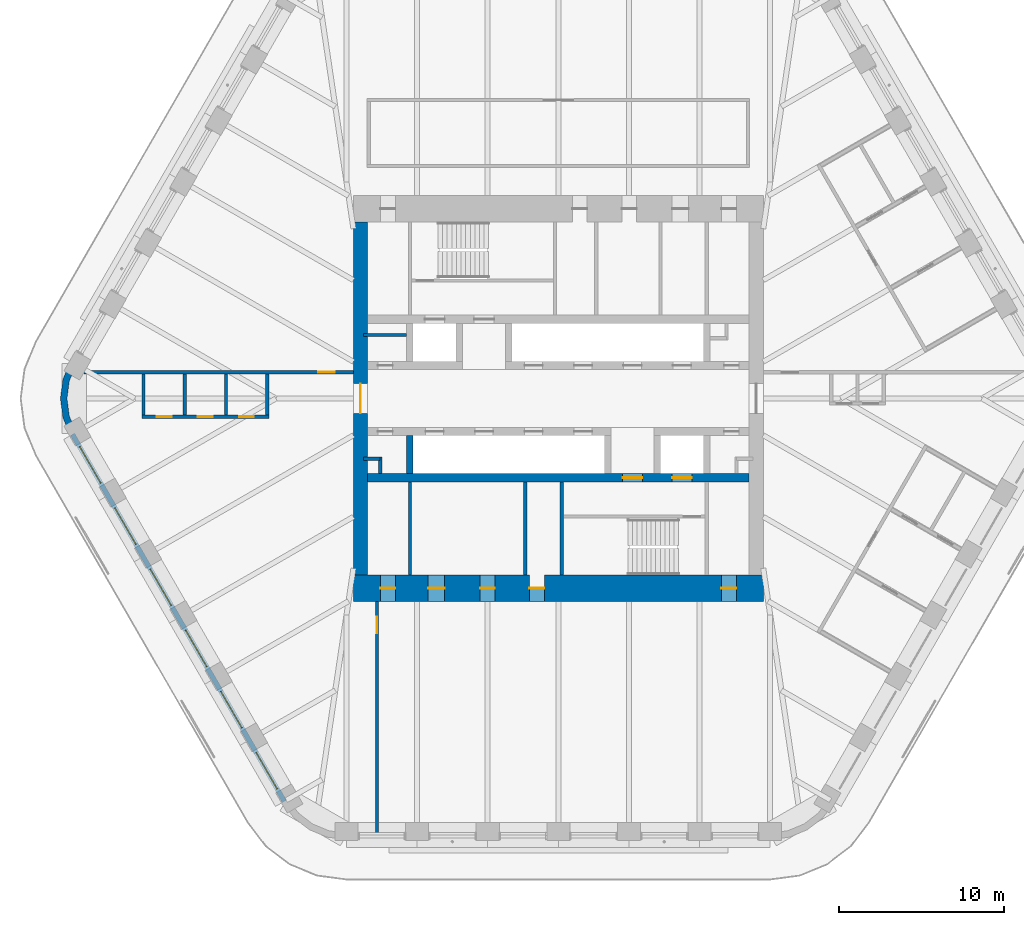
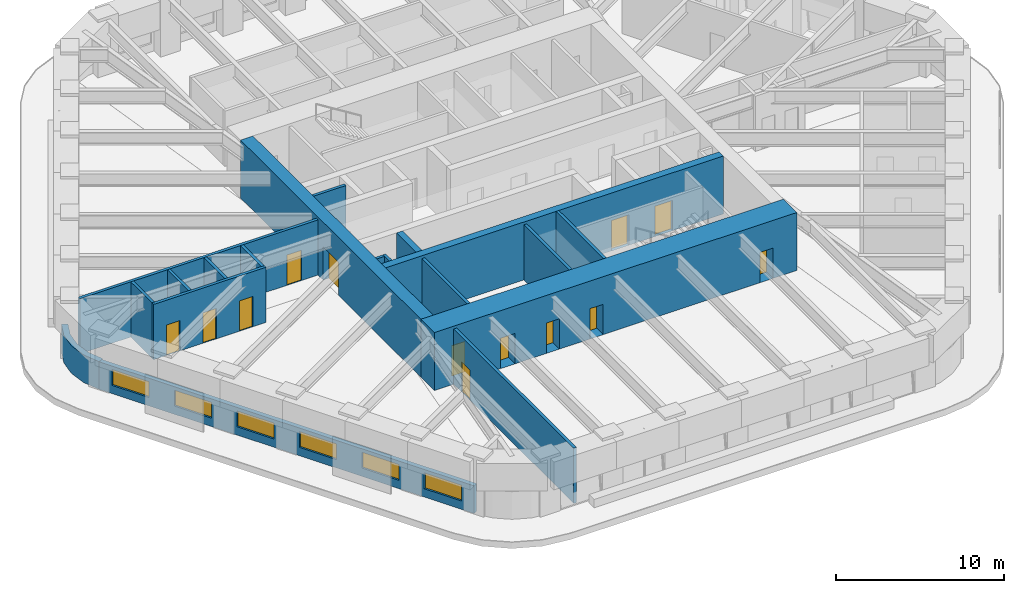
# One storey, part 13 of 18: 19 walls, 13 doors, 6 windows, 19 openings.
"""IFC4 building model written with IfcOpenShell, lengths in metres."""

import ifcopenshell
import ifcopenshell.guid

model = None  # the IFC model being written
_history = None  # IfcOwnerHistory: only IFC2X3 demands one
_inside = {}  # id of a spatial element -> (the spatial element, [elements in it])
_under = {}  # id of a project, library or spatial element -> (it, [spatial elements below it])
_declared = {}  # id of a project -> (the project, [libraries it declares])
_typed = {}  # id of a type object -> (the type object, [elements of that type])
_made_of = {}  # id of a material, layer set ... -> (it, [elements and type objects made of it])


def new_model(schema):
    """Start an empty IFC model of exactly this schema.

    Asked for "IFC4X3", IfcOpenShell would pick the latest addendum, in which some entities
    have other attributes; the version numbers below select the first issue.
    IFC2X3 requires an IfcOwnerHistory on every rooted entity: one is made here for all.
    """
    global model, _history
    if schema == "IFC4X3":
        model = ifcopenshell.file(schema_version=(4, 3, 0, 0))
    else:
        model = ifcopenshell.file(schema=schema)
    _inside.clear()
    _under.clear()
    _declared.clear()
    _typed.clear()
    _made_of.clear()
    _history = None
    if model.schema == "IFC2X3":
        org = make("IfcOrganization", Name="unknown")
        user = make(
            "IfcPersonAndOrganization",
            ThePerson=make("IfcPerson", FamilyName="unknown"),
            TheOrganization=org,
        )
        app = make(
            "IfcApplication",
            ApplicationDeveloper=org,
            Version="unknown",
            ApplicationFullName="unknown",
            ApplicationIdentifier="unknown",
        )
        _history = make(
            "IfcOwnerHistory",
            OwningUser=user,
            OwningApplication=app,
            ChangeAction="ADDED",
            CreationDate=0,
        )
    return model


def make(cls, **values):
    """One entity of the class cls with the attributes given. An attribute that is None is left unset."""
    return model.create_entity(
        cls, **{name: value for name, value in values.items() if value is not None}
    )


def rooted(cls, **values):
    """An entity with a GlobalId (a new one), such as an element, a storey or a relation."""
    return make(cls, GlobalId=ifcopenshell.guid.new(), OwnerHistory=_history, **values)


def si_unit(unit_type, name, prefix=None):
    """IfcSIUnit, for example si_unit("LENGTHUNIT", "METRE", prefix="MILLI")."""
    return make("IfcSIUnit", UnitType=unit_type, Prefix=prefix, Name=name)


def assignment(units):
    """IfcUnitAssignment: the units of a project."""
    return None if units is None else make("IfcUnitAssignment", Units=units)


def point(xyz):
    """IfcCartesianPoint."""
    return None if xyz is None else make("IfcCartesianPoint", Coordinates=xyz)


def direction(xyz):
    """IfcDirection."""
    return None if xyz is None else make("IfcDirection", DirectionRatios=xyz)


def frame(location, z_axis=None, x_axis=None):
    """IfcAxis2Placement3D, a coordinate frame: its origin and axes. An axis left out is left unset."""
    return make(
        "IfcAxis2Placement3D",
        Location=point(location),
        Axis=direction(z_axis),
        RefDirection=direction(x_axis),
    )


def frame_2d(location, x_axis=None):
    """IfcAxis2Placement2D, a coordinate frame in the plane: its origin and x axis."""
    return make(
        "IfcAxis2Placement2D", Location=point(location), RefDirection=direction(x_axis)
    )


def origin():
    """The frame at (0, 0, 0) with its axes left unset."""
    return frame((0.0, 0.0, 0.0))


def place(relative_to, where):
    """IfcLocalPlacement: puts the frame where relative to a parent placement (None: the world)."""
    return make(
        "IfcLocalPlacement", PlacementRelTo=relative_to, RelativePlacement=where
    )


def context(
    kind, dimensions, precision=None, world=None, true_north=None, identifier=None
):
    """IfcGeometricRepresentationContext, for example the 3D "Model" context."""
    return make(
        "IfcGeometricRepresentationContext",
        ContextIdentifier=identifier,
        ContextType=kind,
        CoordinateSpaceDimension=dimensions,
        Precision=precision,
        WorldCoordinateSystem=world,
        TrueNorth=true_north,
    )


def subcontext(parent, identifier, kind, view, scale=None):
    """IfcGeometricRepresentationSubContext, for example "Body" below "Model"."""
    return make(
        "IfcGeometricRepresentationSubContext",
        ContextIdentifier=identifier,
        ContextType=kind,
        ParentContext=parent,
        TargetScale=scale,
        TargetView=view,
    )


def project(units=None, contexts=None):
    """IfcProject with its units and contexts."""
    return rooted(
        "IfcProject",
        Name="project",
        RepresentationContexts=contexts,
        UnitsInContext=assignment(units),
    )


def spatial(cls, under=None, at=None, **own):
    """A site, building, storey or space (cls), placed at a placement, below another one or the project."""
    s = rooted(cls, ObjectPlacement=at, **own)
    if under is not None:
        _under.setdefault(under.id(), (under, []))[1].append(s)
    return s


def polyline(points):
    """IfcPolyline through the points."""
    return make("IfcPolyline", Points=[point(p) for p in points])


def profile(cls, at=None, kind="AREA", **sizes):
    """A parametric profile (cls). Its sizes go by their IFC names, for example OverallWidth=200.0."""
    return make(cls, ProfileType=kind, Position=at, **sizes)


def rectangle(**sizes):
    """IfcRectangleProfileDef."""
    return profile("IfcRectangleProfileDef", **sizes)


def outline(outer, holes=None, kind="AREA"):
    """IfcArbitraryClosedProfileDef: a profile drawn as a closed curve; with holes, ...WithVoids."""
    if holes is None:
        return make("IfcArbitraryClosedProfileDef", ProfileType=kind, OuterCurve=outer)
    return make(
        "IfcArbitraryProfileDefWithVoids",
        ProfileType=kind,
        OuterCurve=outer,
        InnerCurves=holes,
    )


def extrude(swept, where, along, depth):
    """IfcExtrudedAreaSolid: the profile swept, set in the frame where, extruded along a direction by depth."""
    return make(
        "IfcExtrudedAreaSolid",
        SweptArea=swept,
        Position=where,
        ExtrudedDirection=direction(along),
        Depth=depth,
    )


def shape(context_of_items, identifier, shape_type, items):
    """IfcShapeRepresentation: the items that make up one representation, for example the "Body"."""
    return make(
        "IfcShapeRepresentation",
        ContextOfItems=context_of_items,
        RepresentationIdentifier=identifier,
        RepresentationType=shape_type,
        Items=items,
    )


def material(Name=None, Category=None):
    """IfcMaterial."""
    return make("IfcMaterial", Name=Name, Category=Category)


def layer(
    of_material, thickness, ventilated=None, Name=None, Category=None, Priority=None
):
    """IfcMaterialLayer: one layer of a wall or slab, of a material (None: an air gap)."""
    return make(
        "IfcMaterialLayer",
        Material=of_material,
        LayerThickness=thickness,
        IsVentilated=ventilated,
        Name=Name,
        Category=Category,
        Priority=Priority,
    )


def layer_set(layers, Name=None):
    """IfcMaterialLayerSet."""
    return make("IfcMaterialLayerSet", MaterialLayers=layers, LayerSetName=Name)


def made_of(thing, what):
    """Note that an element or type object is made of a material, layer set ...; save() writes the relation."""
    if what is not None:
        _made_of.setdefault(what.id(), (what, []))[1].append(thing)
    return thing


def type_object(cls, material=None, **own):
    """A type object (cls), such as IfcWallType, which elements share."""
    return made_of(rooted(cls, **own), material)


def element(
    cls,
    number,
    at=None,
    inside=None,
    cuts=None,
    type_object=None,
    material=None,
    context=None,
    identifier="Body",
    shape_type=None,
    held_by="IfcProductDefinitionShape",
    body=None,
    shapes=None,
    **own,
):
    """One element of the class cls, such as IfcWall. Its Tag is "e" and its number.

    at: its placement. inside: the storey or other place that contains it. cuts: it is an
    opening in that element (IfcRelVoidsElement). A single representation is given by context,
    identifier, shape_type and body (its items); several are given by shapes. held_by: the class
    of the entity that holds the representations. save() writes the other relations.
    """
    e = rooted(cls, Tag="e%d" % number, ObjectPlacement=at, **own)
    if body is not None:
        shapes = [shape(context, identifier, shape_type, body)]
    if shapes is not None:
        e.Representation = make(held_by, Representations=shapes)
    if inside is not None:
        _inside.setdefault(inside.id(), (inside, []))[1].append(e)
    if cuts is not None:
        rooted(
            "IfcRelVoidsElement", RelatingBuildingElement=cuts, RelatedOpeningElement=e
        )
    if type_object is not None:
        _typed.setdefault(type_object.id(), (type_object, []))[1].append(e)
    return made_of(e, material)


def fill(opening, filler):
    """IfcRelFillsElement: the door or window that sits in an opening."""
    return rooted(
        "IfcRelFillsElement",
        RelatingOpeningElement=opening,
        RelatedBuildingElement=filler,
    )


def aggregate(whole, parts):
    """IfcRelAggregates: a whole, such as a stair, and the parts it consists of."""
    return rooted("IfcRelAggregates", RelatingObject=whole, RelatedObjects=parts)


def save(model, path):
    """Write the relations noted so far, then the file.

    IfcRelAggregates (storeys below a building ...), IfcRelContainedInSpatialStructure (elements
    in a storey), IfcRelDefinesByType, IfcRelAssociatesMaterial and IfcRelDeclares: one each for
    every whole, place, type object, material and project.
    """
    for whole, parts in _under.values():
        aggregate(whole, parts)
    for where, things in _inside.values():
        rooted(
            "IfcRelContainedInSpatialStructure",
            RelatedElements=things,
            RelatingStructure=where,
        )
    for kind, things in _typed.values():
        rooted("IfcRelDefinesByType", RelatedObjects=things, RelatingType=kind)
    for what, things in _made_of.values():
        rooted("IfcRelAssociatesMaterial", RelatedObjects=things, RelatingMaterial=what)
    for by, libraries in _declared.values():
        rooted("IfcRelDeclares", RelatingContext=by, RelatedDefinitions=libraries)
    model.write(path)


model = new_model("IFC4")

# Units and contexts
model_context = context("Model", 3, precision=1e-05, world=origin(), true_north=direction((0.0, 1.0)))
body_context = subcontext(model_context, "Body", "Model", "MODEL_VIEW")
ifc_project = project(units=[si_unit("LENGTHUNIT", "METRE"), si_unit("AREAUNIT", "SQUARE_METRE"), si_unit("VOLUMEUNIT", "CUBIC_METRE"), si_unit("PLANEANGLEUNIT", "RADIAN"), si_unit("MASSUNIT", "GRAM", prefix="KILO")], contexts=[model_context])

# Site, building, storey
site_placement = place(None, origin())
site = spatial("IfcSite", under=ifc_project, at=site_placement, CompositionType="ELEMENT")
building_placement = place(site_placement, origin())
building = spatial("IfcBuilding", under=site, at=building_placement, Name="Tarfa Lantern Tower", CompositionType="ELEMENT")
storey_placement = place(building_placement, frame((0.0, 0.0, 319.89990234375)))
storey = spatial("IfcBuildingStorey", under=building, at=storey_placement, Name="L72", CompositionType="ELEMENT", Elevation=319.89990234375)

# Wall, openings, windows
ifc_material_1 = material(Name="Limestone cladding on blockwork", Category="masonry")
ifc_layer_1 = layer(ifc_material_1, 0.300048828125)
ifc_layer_set_1 = layer_set([ifc_layer_1], Name="EW1 STONE-CLAD WALL 300")
wall_type_1 = type_object("IfcWallType", Name="EW1 STONE-CLAD WALL 300", PredefinedType="SOLIDWALL", material=ifc_layer_set_1)
wall_1_placement = place(storey_placement, frame((-29.459228515625, -2.175048828125, 0.0), z_axis=(0.0, 0.0, 1.0), x_axis=(0.499997191038, -0.866027025533, 0.0)))
wall_1 = element("IfcWall", 1, at=wall_1_placement, inside=storey, type_object=wall_type_1, Name="Stone wall SW", PredefinedType="SOLIDWALL", context=body_context, shape_type="SweptSolid", body=[
    extrude(rectangle(XDim=25.692138671875, YDim=0.300048828125, at=frame_2d((12.84619140625, 0.0))), origin(), (0.0, 0.0, 1.0), 2.0),
])
opening_1_placement = place(wall_1_placement, frame((0.865966796875, 0.0, 0.60009765625)))
opening_1 = element("IfcOpeningElement", 2, at=opening_1_placement, cuts=wall_1, Name="Opening W16", PredefinedType="OPENING", context=body_context, shape_type="SweptSolid", body=[
    extrude(rectangle(XDim=2.550048828125, YDim=1.14990234375, at=frame_2d((1.27490234375, 0.574951171875))), frame((0.0, 0.159912109375, 0.0), z_axis=(0.0, -1.0, 0.0), x_axis=(1.0, 0.0, 0.0)), (0.0, 0.0, 1.0), 0.320068359375),
])
opening_2_placement = place(wall_1_placement, frame((5.14794921875, 0.0, 0.60009765625)))
opening_2 = element("IfcOpeningElement", 3, at=opening_2_placement, cuts=wall_1, Name="Opening W16", PredefinedType="OPENING", context=body_context, shape_type="SweptSolid", body=[
    extrude(rectangle(XDim=2.550048828125, YDim=1.14990234375, at=frame_2d((1.27490234375, 0.574951171875))), frame((0.0, 0.159912109375, 0.0), z_axis=(0.0, -1.0, 0.0), x_axis=(1.0, 0.0, 0.0)), (0.0, 0.0, 1.0), 0.320068359375),
])
opening_3_placement = place(wall_1_placement, frame((9.429931640625, 0.0, 0.60009765625)))
opening_3 = element("IfcOpeningElement", 4, at=opening_3_placement, cuts=wall_1, Name="Opening W16", PredefinedType="OPENING", context=body_context, shape_type="SweptSolid", body=[
    extrude(rectangle(XDim=2.550048828125, YDim=1.14990234375, at=frame_2d((1.27490234375, 0.574951171875))), frame((0.0, 0.159912109375, 0.0), z_axis=(0.0, -1.0, 0.0), x_axis=(1.0, 0.0, 0.0)), (0.0, 0.0, 1.0), 0.320068359375),
])
opening_4_placement = place(wall_1_placement, frame((13.712158203125, 0.0, 0.60009765625)))
opening_4 = element("IfcOpeningElement", 5, at=opening_4_placement, cuts=wall_1, Name="Opening W16", PredefinedType="OPENING", context=body_context, shape_type="SweptSolid", body=[
    extrude(rectangle(XDim=2.550048828125, YDim=1.14990234375, at=frame_2d((1.27490234375, 0.574951171875))), frame((0.0, 0.159912109375, 0.0), z_axis=(0.0, -1.0, 0.0), x_axis=(1.0, 0.0, 0.0)), (0.0, 0.0, 1.0), 0.320068359375),
])
opening_5_placement = place(wall_1_placement, frame((17.994140625, 0.0, 0.60009765625)))
opening_5 = element("IfcOpeningElement", 6, at=opening_5_placement, cuts=wall_1, Name="Opening W16", PredefinedType="OPENING", context=body_context, shape_type="SweptSolid", body=[
    extrude(rectangle(XDim=2.550048828125, YDim=1.14990234375, at=frame_2d((1.27490234375, 0.574951171875))), frame((0.0, 0.159912109375, 0.0), z_axis=(0.0, -1.0, 0.0), x_axis=(1.0, 0.0, 0.0)), (0.0, 0.0, 1.0), 0.320068359375),
])
opening_6_placement = place(wall_1_placement, frame((22.276123046875, 0.0, 0.60009765625)))
opening_6 = element("IfcOpeningElement", 7, at=opening_6_placement, cuts=wall_1, Name="Opening W16", PredefinedType="OPENING", context=body_context, shape_type="SweptSolid", body=[
    extrude(rectangle(XDim=2.550048828125, YDim=1.14990234375, at=frame_2d((1.27490234375, 0.574951171875))), frame((0.0, 0.159912109375, 0.0), z_axis=(0.0, -1.0, 0.0), x_axis=(1.0, 0.0, 0.0)), (0.0, 0.0, 1.0), 0.320068359375),
])
ifc_material_2 = material(Name="Aluminium frame, double glazed", Category="aluminium")
window_type = type_object("IfcWindowType", Name="W16 FULL-HEIGHT GLAZING 2550x1150", PartitioningType="SINGLE_PANEL", PredefinedType="WINDOW", material=ifc_material_2)
window_1_placement = place(opening_1_placement, origin())
window_1 = element("IfcWindow", 8, at=window_1_placement, inside=storey, type_object=window_type, Name="Window SW 1", OverallHeight=1.14990234375, OverallWidth=2.550048828125, PartitioningType="SINGLE_PANEL", PredefinedType="WINDOW", context=body_context, shape_type="SweptSolid", body=[
    extrude(rectangle(XDim=2.550048828125, YDim=1.14990234375, at=frame_2d((1.27490234375, 0.574951171875))), frame((0.0, 0.030029296875, 0.0), z_axis=(0.0, -1.0, 0.0), x_axis=(1.0, 0.0, 0.0)), (0.0, 0.0, 1.0), 0.06005859375),
])
fill(opening_1, window_1)
window_2_placement = place(opening_2_placement, origin())
window_2 = element("IfcWindow", 9, at=window_2_placement, inside=storey, type_object=window_type, Name="Window SW 2", OverallHeight=1.14990234375, OverallWidth=2.550048828125, PartitioningType="SINGLE_PANEL", PredefinedType="WINDOW", context=body_context, shape_type="SweptSolid", body=[
    extrude(rectangle(XDim=2.550048828125, YDim=1.14990234375, at=frame_2d((1.27490234375, 0.574951171875))), frame((0.0, 0.030029296875, 0.0), z_axis=(0.0, -1.0, 0.0), x_axis=(1.0, 0.0, 0.0)), (0.0, 0.0, 1.0), 0.06005859375),
])
fill(opening_2, window_2)
window_3_placement = place(opening_3_placement, origin())
window_3 = element("IfcWindow", 10, at=window_3_placement, inside=storey, type_object=window_type, Name="Window SW 3", OverallHeight=1.14990234375, OverallWidth=2.550048828125, PartitioningType="SINGLE_PANEL", PredefinedType="WINDOW", context=body_context, shape_type="SweptSolid", body=[
    extrude(rectangle(XDim=2.550048828125, YDim=1.14990234375, at=frame_2d((1.27490234375, 0.574951171875))), frame((0.0, 0.030029296875, 0.0), z_axis=(0.0, -1.0, 0.0), x_axis=(1.0, 0.0, 0.0)), (0.0, 0.0, 1.0), 0.06005859375),
])
fill(opening_3, window_3)
window_4_placement = place(opening_4_placement, origin())
window_4 = element("IfcWindow", 11, at=window_4_placement, inside=storey, type_object=window_type, Name="Window SW 4", OverallHeight=1.14990234375, OverallWidth=2.550048828125, PartitioningType="SINGLE_PANEL", PredefinedType="WINDOW", context=body_context, shape_type="SweptSolid", body=[
    extrude(rectangle(XDim=2.550048828125, YDim=1.14990234375, at=frame_2d((1.27490234375, 0.574951171875))), frame((0.0, 0.030029296875, 0.0), z_axis=(0.0, -1.0, 0.0), x_axis=(1.0, 0.0, 0.0)), (0.0, 0.0, 1.0), 0.06005859375),
])
fill(opening_4, window_4)
window_5_placement = place(opening_5_placement, origin())
window_5 = element("IfcWindow", 12, at=window_5_placement, inside=storey, type_object=window_type, Name="Window SW 5", OverallHeight=1.14990234375, OverallWidth=2.550048828125, PartitioningType="SINGLE_PANEL", PredefinedType="WINDOW", context=body_context, shape_type="SweptSolid", body=[
    extrude(rectangle(XDim=2.550048828125, YDim=1.14990234375, at=frame_2d((1.27490234375, 0.574951171875))), frame((0.0, 0.030029296875, 0.0), z_axis=(0.0, -1.0, 0.0), x_axis=(1.0, 0.0, 0.0)), (0.0, 0.0, 1.0), 0.06005859375),
])
fill(opening_5, window_5)
window_6_placement = place(opening_6_placement, origin())
window_6 = element("IfcWindow", 13, at=window_6_placement, inside=storey, type_object=window_type, Name="Window SW 6", OverallHeight=1.14990234375, OverallWidth=2.550048828125, PartitioningType="SINGLE_PANEL", PredefinedType="WINDOW", context=body_context, shape_type="SweptSolid", body=[
    extrude(rectangle(XDim=2.550048828125, YDim=1.14990234375, at=frame_2d((1.27490234375, 0.574951171875))), frame((0.0, 0.030029296875, 0.0), z_axis=(0.0, -1.0, 0.0), x_axis=(1.0, 0.0, 0.0)), (0.0, 0.0, 1.0), 0.06005859375),
])
fill(opening_6, window_6)

# Walls
ifc_layer_2 = layer(ifc_material_1, 0.39990234375)
ifc_layer_set_2 = layer_set([ifc_layer_2], Name="EW2 CURVED STONE CORNER 400")
wall_type_2 = type_object("IfcWallType", Name="EW2 CURVED STONE CORNER 400", PredefinedType="SOLIDWALL", material=ifc_layer_set_2)
wall_2_placement = place(storey_placement, origin())
element("IfcWall", 14, at=wall_2_placement, inside=storey, type_object=wall_type_2, Name="Stone corner NW-SW", PredefinedType="SOLIDWALL", context=body_context, shape_type="SweptSolid", body=[
    extrude(outline(polyline([(-29.589111328125, 2.25), (-30.038818359375, 1.164794921875), (-30.192138671875, 0.0), (-30.038818359375, -1.164794921875), (-29.589111328125, -2.25), (-29.24267578125, -2.050048828125), (-29.65234375, -1.061279296875), (-29.7919921875, 0.0), (-29.65234375, 1.061279296875), (-29.24267578125, 2.050048828125), (-29.589111328125, 2.25)])), origin(), (0.0, 0.0, 1.0), 2.0),
])
ifc_material_3 = material(Name="Concrete blockwork", Category="masonry")
ifc_layer_3 = layer(ifc_material_3, 0.199951171875)
ifc_layer_set_3 = layer_set([ifc_layer_3], Name="IW1 BLOCKWORK PARTITION 200 EI 120")
wall_type_3 = type_object("IfcWallType", Name="IW1 BLOCKWORK PARTITION 200 EI 120", PredefinedType="PARTITIONING", material=ifc_layer_set_3)
for number, where, z_axis, x_axis, name in (
    (15, (-9.0, -5.050048828125, 0.0), (0.0, 0.0, 1.0), (0.0, -1.0, 0.0), "Core partition"),
    (16, (-2.0, -5.050048828125, 0.0), (0.0, 0.0, 1.0), (0.0, -1.0, 0.0), "Core partition"),
):
    element("IfcWall", number, at=place(storey_placement, frame(where, z_axis=z_axis, x_axis=x_axis)), inside=storey, type_object=wall_type_3, Name=name, PredefinedType="PARTITIONING", context=body_context, shape_type="SweptSolid", body=[
        extrude(rectangle(XDim=5.64990234375, YDim=0.199951171875, at=frame_2d((2.824951171875, 0.0))), origin(), (0.0, 0.0, 1.0), 4.0),
    ])
wall_3_placement = place(storey_placement, frame((-11.800048828125, 3.85009765625, 0.0), z_axis=(0.0, 0.0, 1.0), x_axis=(1.0, 0.0, 0.0)))
element("IfcWall", 17, at=wall_3_placement, inside=storey, type_object=wall_type_3, Name="Core partition", PredefinedType="PARTITIONING", context=body_context, shape_type="SweptSolid", body=[
    extrude(rectangle(XDim=2.60009765625, YDim=0.199951171875, at=frame_2d((1.300048828125, 0.0))), origin(), (0.0, 0.0, 1.0), 4.0),
])
for number, where, z_axis, x_axis, name in (
    (18, (-10.800048828125, -3.64990234375, 0.0), (0.0, 0.0, 1.0), (-1.0, 0.0, 0.0), "Core partition"),
    (19, (-10.800048828125, -3.550048828125, 0.0), (0.0, 0.0, 1.0), (0.0, -1.0, 0.0), "Core partition"),
):
    element("IfcWall", number, at=place(storey_placement, frame(where, z_axis=z_axis, x_axis=x_axis)), inside=storey, type_object=wall_type_3, Name=name, PredefinedType="PARTITIONING", context=body_context, shape_type="SweptSolid", body=[
        extrude(rectangle(XDim=1.0, YDim=0.199951171875, at=frame_2d((0.5, 0.0))), origin(), (0.0, 0.0, 1.0), 4.0),
    ])

# Wall, opening, door
ifc_material_4 = material(Name="Gypsum board on steel studs", Category="steel")
ifc_layer_4 = layer(ifc_material_4, 0.2099609375)
ifc_layer_set_4 = layer_set([ifc_layer_4], Name="IW2 ACOUSTIC PARTITION 200")
wall_type_4 = type_object("IfcWallType", Name="IW2 ACOUSTIC PARTITION 200", PredefinedType="PARTITIONING", material=ifc_layer_set_4)
wall_4_placement = place(storey_placement, frame((-11.0, -12.300048828125, 0.0), z_axis=(0.0, 0.0, 1.0), x_axis=(0.0, -1.0, 0.0)))
wall_4 = element("IfcWall", 20, at=wall_4_placement, inside=storey, type_object=wall_type_4, Name="Partition", PredefinedType="PARTITIONING", context=body_context, shape_type="SweptSolid", body=[
    extrude(rectangle(XDim=14.25, YDim=0.199951171875, at=frame_2d((7.125, 0.0))), origin(), (0.0, 0.0, 1.0), 4.0),
])
opening_7_placement = place(wall_4_placement, frame((0.925048828125, 0.0, 0.0)))
opening_7 = element("IfcOpeningElement", 21, at=opening_7_placement, cuts=wall_4, Name="Opening D36", PredefinedType="OPENING", context=body_context, shape_type="SweptSolid", body=[
    extrude(rectangle(XDim=1.0, YDim=2.199951171875, at=frame_2d((0.5, 1.10009765625))), frame((0.0, 0.10986328125, 0.0), z_axis=(0.0, -1.0, 0.0), x_axis=(1.0, 0.0, 0.0)), (0.0, 0.0, 1.0), 0.219970703125),
])
ifc_material_5 = material(Name="Timber door", Category="wood")
door_type_1 = type_object("IfcDoorType", Name="DR1 ROOM DOOR 1000x2200", OperationType="SINGLE_SWING_LEFT", PredefinedType="DOOR", material=ifc_material_5)
door_1_placement = place(opening_7_placement, frame((1.0, 0.0, 0.0), z_axis=(0.0, 0.0, 1.0), x_axis=(-1.0, 0.0, 0.0)))
door_1 = element("IfcDoor", 22, at=door_1_placement, inside=storey, type_object=door_type_1, Name="Zone door", OperationType="SINGLE_SWING_LEFT", OverallHeight=2.199951171875, OverallWidth=1.0, PredefinedType="DOOR", context=body_context, shape_type="SweptSolid", body=[
    extrude(rectangle(XDim=1.0, YDim=2.199951171875, at=frame_2d((0.5, 1.10009765625))), frame((0.0, 0.02490234375, 0.0), z_axis=(0.0, -1.0, 0.0), x_axis=(1.0, 0.0, 0.0)), (0.0, 0.0, 1.0), 0.050048828125),
])
fill(opening_7, door_1)

wall_5_placement = place(storey_placement, frame((-12.425048828125, 1.60009765625, 0.0), z_axis=(0.0, 0.0, 1.0), x_axis=(-1.0, 0.0, 0.0)))
wall_5 = element("IfcWall", 23, at=wall_5_placement, inside=storey, type_object=wall_type_4, Name="Partition", PredefinedType="PARTITIONING", context=body_context, shape_type="SweptSolid", body=[
    extrude(rectangle(XDim=16.326904296875, YDim=0.199951171875, at=frame_2d((8.16357421875, 0.0))), origin(), (0.0, 0.0, 1.0), 4.0),
])
opening_8_placement = place(wall_5_placement, frame((1.1328125, 0.0, 0.0)))
opening_8 = element("IfcOpeningElement", 24, at=opening_8_placement, cuts=wall_5, Name="Opening D37", PredefinedType="OPENING", context=body_context, shape_type="SweptSolid", body=[
    extrude(rectangle(XDim=1.0, YDim=2.199951171875, at=frame_2d((0.5, 1.10009765625))), frame((0.0, 0.10986328125, 0.0), z_axis=(0.0, -1.0, 0.0), x_axis=(1.0, 0.0, 0.0)), (0.0, 0.0, 1.0), 0.219970703125),
])
door_2_placement = place(opening_8_placement, origin())
door_2 = element("IfcDoor", 25, at=door_2_placement, inside=storey, type_object=door_type_1, Name="Zone door", OperationType="SINGLE_SWING_RIGHT", OverallHeight=2.199951171875, OverallWidth=1.0, PredefinedType="DOOR", context=body_context, shape_type="SweptSolid", body=[
    extrude(rectangle(XDim=1.0, YDim=2.199951171875, at=frame_2d((0.5, 1.10009765625))), frame((0.0, 0.02490234375, 0.0), z_axis=(0.0, -1.0, 0.0), x_axis=(1.0, 0.0, 0.0)), (0.0, 0.0, 1.0), 0.050048828125),
])
fill(opening_8, door_2)

# Wall, openings, doors
wall_6_placement = place(storey_placement, frame((-17.554931640625, -1.10009765625, 0.0), z_axis=(0.0, 0.0, 1.0), x_axis=(-1.0, 0.0, 0.0)))
wall_6 = element("IfcWall", 26, at=wall_6_placement, inside=storey, type_object=wall_type_4, Name="Partition", PredefinedType="PARTITIONING", context=body_context, shape_type="SweptSolid", body=[
    extrude(rectangle(XDim=7.699951171875, YDim=0.199951171875, at=frame_2d((3.85009765625, 0.0))), origin(), (0.0, 0.0, 1.0), 4.0),
])
opening_9_placement = place(wall_6_placement, frame((0.89990234375, 0.0, 0.0)))
opening_9 = element("IfcOpeningElement", 27, at=opening_9_placement, cuts=wall_6, Name="Opening D30", PredefinedType="OPENING", context=body_context, shape_type="SweptSolid", body=[
    extrude(rectangle(XDim=0.89990234375, YDim=2.199951171875, at=frame_2d((0.449951171875, 1.10009765625))), frame((0.0, 0.10986328125, 0.0), z_axis=(0.0, -1.0, 0.0), x_axis=(1.0, 0.0, 0.0)), (0.0, 0.0, 1.0), 0.219970703125),
])
opening_10_placement = place(wall_6_placement, frame((3.39990234375, 0.0, 0.0)))
opening_10 = element("IfcOpeningElement", 28, at=opening_10_placement, cuts=wall_6, Name="Opening D31", PredefinedType="OPENING", context=body_context, shape_type="SweptSolid", body=[
    extrude(rectangle(XDim=0.89990234375, YDim=2.199951171875, at=frame_2d((0.449951171875, 1.10009765625))), frame((0.0, 0.10986328125, 0.0), z_axis=(0.0, -1.0, 0.0), x_axis=(1.0, 0.0, 0.0)), (0.0, 0.0, 1.0), 0.219970703125),
])
opening_11_placement = place(wall_6_placement, frame((5.89990234375, 0.0, 0.0)))
opening_11 = element("IfcOpeningElement", 29, at=opening_11_placement, cuts=wall_6, Name="Opening D32", PredefinedType="OPENING", context=body_context, shape_type="SweptSolid", body=[
    extrude(rectangle(XDim=0.89990234375, YDim=2.199951171875, at=frame_2d((0.449951171875, 1.10009765625))), frame((0.0, 0.10986328125, 0.0), z_axis=(0.0, -1.0, 0.0), x_axis=(1.0, 0.0, 0.0)), (0.0, 0.0, 1.0), 0.219970703125),
])
door_type_2 = type_object("IfcDoorType", Name="DR3 ROOM DOOR 900x2200", OperationType="SINGLE_SWING_LEFT", PredefinedType="DOOR", material=ifc_material_5)
door_3_placement = place(opening_9_placement, frame((0.89990234375, 0.0, 0.0), z_axis=(0.0, 0.0, 1.0), x_axis=(-1.0, 0.0, 0.0)))
door_3 = element("IfcDoor", 30, at=door_3_placement, inside=storey, type_object=door_type_2, Name="Focus room door", OperationType="SINGLE_SWING_LEFT", OverallHeight=2.199951171875, OverallWidth=0.89990234375, PredefinedType="DOOR", context=body_context, shape_type="SweptSolid", body=[
    extrude(rectangle(XDim=0.89990234375, YDim=2.199951171875, at=frame_2d((0.449951171875, 1.10009765625))), frame((0.0, 0.02490234375, 0.0), z_axis=(0.0, -1.0, 0.0), x_axis=(1.0, 0.0, 0.0)), (0.0, 0.0, 1.0), 0.050048828125),
])
fill(opening_9, door_3)
door_4_placement = place(opening_10_placement, frame((0.89990234375, 0.0, 0.0), z_axis=(0.0, 0.0, 1.0), x_axis=(-1.0, 0.0, 0.0)))
door_4 = element("IfcDoor", 31, at=door_4_placement, inside=storey, type_object=door_type_2, Name="Focus room door", OperationType="SINGLE_SWING_RIGHT", OverallHeight=2.199951171875, OverallWidth=0.89990234375, PredefinedType="DOOR", context=body_context, shape_type="SweptSolid", body=[
    extrude(rectangle(XDim=0.89990234375, YDim=2.199951171875, at=frame_2d((0.449951171875, 1.10009765625))), frame((0.0, 0.02490234375, 0.0), z_axis=(0.0, -1.0, 0.0), x_axis=(1.0, 0.0, 0.0)), (0.0, 0.0, 1.0), 0.050048828125),
])
fill(opening_10, door_4)
door_5_placement = place(opening_11_placement, frame((0.89990234375, 0.0, 0.0), z_axis=(0.0, 0.0, 1.0), x_axis=(-1.0, 0.0, 0.0)))
door_5 = element("IfcDoor", 32, at=door_5_placement, inside=storey, type_object=door_type_2, Name="Focus room door", OperationType="SINGLE_SWING_RIGHT", OverallHeight=2.199951171875, OverallWidth=0.89990234375, PredefinedType="DOOR", context=body_context, shape_type="SweptSolid", body=[
    extrude(rectangle(XDim=0.89990234375, YDim=2.199951171875, at=frame_2d((0.449951171875, 1.10009765625))), frame((0.0, 0.02490234375, 0.0), z_axis=(0.0, -1.0, 0.0), x_axis=(1.0, 0.0, 0.0)), (0.0, 0.0, 1.0), 0.050048828125),
])
fill(opening_11, door_5)

# Walls
for number, where, z_axis, x_axis, name in (
    (33, (-17.65478515625, 1.5, 0.0), (0.0, 0.0, 1.0), (0.0, -1.0, 0.0), "Partition"),
    (34, (-20.15478515625, 1.5, 0.0), (0.0, 0.0, 1.0), (0.0, -1.0, 0.0), "Partition"),
    (35, (-22.65478515625, 1.5, 0.0), (0.0, 0.0, 1.0), (0.0, -1.0, 0.0), "Partition"),
    (36, (-25.15478515625, 1.5, 0.0), (0.0, 0.0, 1.0), (0.0, -1.0, 0.0), "Partition"),
):
    element("IfcWall", number, at=place(storey_placement, frame(where, z_axis=z_axis, x_axis=x_axis)), inside=storey, type_object=wall_type_4, Name=name, PredefinedType="PARTITIONING", context=body_context, shape_type="SweptSolid", body=[
        extrude(rectangle(XDim=2.5, YDim=0.199951171875, at=frame_2d((1.25, 0.0))), origin(), (0.0, 0.0, 1.0), 4.0),
    ])
ifc_material_6 = material(Name="Concrete C80/95", Category="concrete")
ifc_layer_5 = layer(ifc_material_6, 0.199951171875)
ifc_layer_set_5 = layer_set([ifc_layer_5], Name="SW12 CORE WALL 200")
wall_type_5 = type_object("IfcWallType", Name="SW12 CORE WALL 200", PredefinedType="SHEAR", material=ifc_layer_set_5)
wall_7_placement = place(storey_placement, frame((0.199951171875, -5.050048828125, 0.0), z_axis=(0.0, 0.0, 1.0), x_axis=(0.0, -1.0, 0.0)))
element("IfcWall", 37, at=wall_7_placement, inside=storey, type_object=wall_type_5, Name="Core wall stair shaft S", PredefinedType="SHEAR", context=body_context, shape_type="SweptSolid", body=[
    extrude(rectangle(XDim=5.64990234375, YDim=0.199951171875, at=frame_2d((2.824951171875, 0.0))), origin(), (0.0, 0.0, 1.0), 4.2001953125),
])

# Wall, opening, door
ifc_layer_6 = layer(ifc_material_6, 0.85009765625)
ifc_layer_set_6 = layer_set([ifc_layer_6], Name="SW3 CORE WALL 850")
wall_type_6 = type_object("IfcWallType", Name="SW3 CORE WALL 850", PredefinedType="SHEAR", material=ifc_layer_set_6)
wall_8_placement = place(storey_placement, frame((-12.0, 10.699951171875, 0.0), z_axis=(0.0, 0.0, 1.0), x_axis=(0.0, -1.0, 0.0)))
wall_8 = element("IfcWall", 38, at=wall_8_placement, inside=storey, type_object=wall_type_6, Name="Core wall W", PredefinedType="SHEAR", context=body_context, shape_type="SweptSolid", body=[
    extrude(rectangle(XDim=21.39990234375, YDim=0.85009765625, at=frame_2d((10.699951171875, 0.0))), origin(), (0.0, 0.0, 1.0), 4.2001953125),
])
opening_12_placement = place(wall_8_placement, frame((9.800048828125, 0.0, 0.0)))
opening_12 = element("IfcOpeningElement", 39, at=opening_12_placement, cuts=wall_8, Name="Opening D08", PredefinedType="OPENING", context=body_context, shape_type="SweptSolid", body=[
    extrude(rectangle(XDim=1.800048828125, YDim=2.39990234375, at=frame_2d((0.89990234375, 1.199951171875))), frame((0.0, 0.43505859375, 0.0), z_axis=(0.0, -1.0, 0.0), x_axis=(1.0, 0.0, 0.0)), (0.0, 0.0, 1.0), 0.8701171875),
])
ifc_material_7 = material(Name="Steel fire door", Category="steel")
door_type_3 = type_object("IfcDoorType", Name="DL1 LOBBY DOOR 1800x2400", OperationType="DOUBLE_DOOR_SINGLE_SWING", PredefinedType="DOOR", material=ifc_material_7)
door_6_placement = place(opening_12_placement, frame((1.800048828125, 0.0, 0.0), z_axis=(0.0, 0.0, 1.0), x_axis=(-1.0, 0.0, 0.0)))
door_6 = element("IfcDoor", 40, at=door_6_placement, inside=storey, type_object=door_type_3, Name="Lift lobby door", OperationType="DOUBLE_DOOR_SINGLE_SWING", OverallHeight=2.39990234375, OverallWidth=1.800048828125, PredefinedType="DOOR", context=body_context, shape_type="SweptSolid", body=[
    extrude(rectangle(XDim=1.800048828125, YDim=2.39990234375, at=frame_2d((0.89990234375, 1.199951171875))), frame((0.0, 0.02490234375, 0.0), z_axis=(0.0, -1.0, 0.0), x_axis=(1.0, 0.0, 0.0)), (0.0, 0.0, 1.0), 0.050048828125),
])
fill(opening_12, door_6)

# Wall, openings, doors
ifc_layer_7 = layer(ifc_material_6, 0.5)
ifc_layer_set_7 = layer_set([ifc_layer_7], Name="SW5 CORE WALL 500")
wall_type_7 = type_object("IfcWallType", Name="SW5 CORE WALL 500", PredefinedType="SHEAR", material=ifc_layer_set_7)
wall_9_placement = place(storey_placement, frame((11.574951171875, -4.800048828125, 0.0), z_axis=(0.0, 0.0, 1.0), x_axis=(-1.0, 0.0, 0.0)))
wall_9 = element("IfcWall", 41, at=wall_9_placement, inside=storey, type_object=wall_type_7, Name="Core wall rear S", PredefinedType="SHEAR", context=body_context, shape_type="SweptSolid", body=[
    extrude(rectangle(XDim=23.14990234375, YDim=0.5, at=frame_2d((11.574951171875, 0.0))), origin(), (0.0, 0.0, 1.0), 4.2001953125),
])
opening_13_placement = place(wall_9_placement, frame((6.47509765625, 0.0, 0.0)))
opening_13 = element("IfcOpeningElement", 42, at=opening_13_placement, cuts=wall_9, Name="Opening D06", PredefinedType="OPENING", context=body_context, shape_type="SweptSolid", body=[
    extrude(rectangle(XDim=1.199951171875, YDim=2.199951171875, at=frame_2d((0.60009765625, 1.10009765625))), frame((0.0, 0.260009765625, 0.0), z_axis=(0.0, -1.0, 0.0), x_axis=(1.0, 0.0, 0.0)), (0.0, 0.0, 1.0), 0.52001953125),
])
opening_14_placement = place(wall_9_placement, frame((3.47509765625, 0.0, 0.0)))
opening_14 = element("IfcOpeningElement", 43, at=opening_14_placement, cuts=wall_9, Name="Opening LD02", PredefinedType="OPENING", context=body_context, shape_type="SweptSolid", body=[
    extrude(rectangle(XDim=1.199951171875, YDim=2.199951171875, at=frame_2d((0.60009765625, 1.10009765625))), frame((0.0, 0.260009765625, 0.0), z_axis=(0.0, -1.0, 0.0), x_axis=(1.0, 0.0, 0.0)), (0.0, 0.0, 1.0), 0.52001953125),
])
door_type_4 = type_object("IfcDoorType", Name="DF1 FIREFIGHTING LOBBY DOOR 1200x2200", OperationType="SINGLE_SWING_LEFT", PredefinedType="DOOR", material=ifc_material_7)
door_7_placement = place(opening_13_placement, origin())
door_7 = element("IfcDoor", 44, at=door_7_placement, inside=storey, type_object=door_type_4, Name="Firefighting lobby door", OperationType="SINGLE_SWING_LEFT", OverallHeight=2.199951171875, OverallWidth=1.199951171875, PredefinedType="DOOR", context=body_context, shape_type="SweptSolid", body=[
    extrude(rectangle(XDim=1.199951171875, YDim=2.199951171875, at=frame_2d((0.60009765625, 1.10009765625))), frame((0.0, 0.02490234375, 0.0), z_axis=(0.0, -1.0, 0.0), x_axis=(1.0, 0.0, 0.0)), (0.0, 0.0, 1.0), 0.050048828125),
])
fill(opening_13, door_7)
ifc_material_8 = material(Name="Stainless steel lift door", Category="steel")
door_type_5 = type_object("IfcDoorType", Name="LD1 LIFT LANDING DOOR 1200x2200", OperationType="SLIDING_TO_LEFT", PredefinedType="DOOR", material=ifc_material_8)
door_8_placement = place(opening_14_placement, origin())
door_8 = element("IfcDoor", 45, at=door_8_placement, inside=storey, type_object=door_type_5, Name="Landing door FL2", OperationType="SLIDING_TO_LEFT", OverallHeight=2.199951171875, OverallWidth=1.199951171875, PredefinedType="DOOR", context=body_context, shape_type="SweptSolid", body=[
    extrude(rectangle(XDim=1.199951171875, YDim=2.199951171875, at=frame_2d((0.60009765625, 1.10009765625))), frame((0.0, 0.02490234375, 0.0), z_axis=(0.0, -1.0, 0.0), x_axis=(1.0, 0.0, 0.0)), (0.0, 0.0, 1.0), 0.050048828125),
])
fill(opening_14, door_8)

# Wall
ifc_layer_8 = layer(ifc_material_6, 0.39990234375)
ifc_layer_set_8 = layer_set([ifc_layer_8], Name="SW6 CORE WALL 400")
wall_type_8 = type_object("IfcWallType", Name="SW6 CORE WALL 400", PredefinedType="SHEAR", material=ifc_layer_set_8)
wall_10_placement = place(storey_placement, frame((-9.0, -2.25, 0.0), z_axis=(0.0, 0.0, 1.0), x_axis=(0.0, -1.0, 0.0)))
element("IfcWall", 46, at=wall_10_placement, inside=storey, type_object=wall_type_8, Name="Core wall divider S", PredefinedType="SHEAR", context=body_context, shape_type="SweptSolid", body=[
    extrude(rectangle(XDim=2.300048828125, YDim=0.39990234375, at=frame_2d((1.14990234375, 0.0))), origin(), (0.0, 0.0, 1.0), 4.2001953125),
])

# Wall, openings, doors
ifc_layer_9 = layer(ifc_material_6, 1.60009765625)
ifc_layer_set_9 = layer_set([ifc_layer_9], Name="SW7 CORE WALL 1600")
wall_type_9 = type_object("IfcWallType", Name="SW7 CORE WALL 1600", PredefinedType="SHEAR", material=ifc_layer_set_9)
wall_11_placement = place(storey_placement, frame((12.425048828125, -11.5, 0.0), z_axis=(0.0, 0.0, 1.0), x_axis=(-1.0, 0.0, 0.0)))
wall_11 = element("IfcWall", 47, at=wall_11_placement, inside=storey, type_object=wall_type_9, Name="Core wall S", PredefinedType="SHEAR", context=body_context, shape_type="SweptSolid", body=[
    extrude(rectangle(XDim=24.85009765625, YDim=1.60009765625, at=frame_2d((12.425048828125, 0.0))), origin(), (0.0, 0.0, 1.0), 4.2001953125),
])
opening_15_placement = place(wall_11_placement, frame((13.27490234375, 0.0, 0.0)))
opening_15 = element("IfcOpeningElement", 48, at=opening_15_placement, cuts=wall_11, Name="Opening D14", PredefinedType="OPENING", context=body_context, shape_type="SweptSolid", body=[
    extrude(rectangle(XDim=0.89990234375, YDim=2.199951171875, at=frame_2d((0.449951171875, 1.10009765625))), frame((0.0, 0.81005859375, 0.0), z_axis=(0.0, -1.0, 0.0), x_axis=(1.0, 0.0, 0.0)), (0.0, 0.0, 1.0), 1.6201171875),
])
opening_16_placement = place(wall_11_placement, frame((16.27490234375, 0.0, 0.0)))
opening_16 = element("IfcOpeningElement", 49, at=opening_16_placement, cuts=wall_11, Name="Opening D16", PredefinedType="OPENING", context=body_context, shape_type="SweptSolid", body=[
    extrude(rectangle(XDim=0.89990234375, YDim=2.199951171875, at=frame_2d((0.449951171875, 1.10009765625))), frame((0.0, 0.81005859375, 0.0), z_axis=(0.0, -1.0, 0.0), x_axis=(1.0, 0.0, 0.0)), (0.0, 0.0, 1.0), 1.6201171875),
])
opening_17_placement = place(wall_11_placement, frame((19.324951171875, 0.0, 0.0)))
opening_17 = element("IfcOpeningElement", 50, at=opening_17_placement, cuts=wall_11, Name="Opening D18", PredefinedType="OPENING", context=body_context, shape_type="SweptSolid", body=[
    extrude(rectangle(XDim=1.0, YDim=2.199951171875, at=frame_2d((0.5, 1.10009765625))), frame((0.0, 0.81005859375, 0.0), z_axis=(0.0, -1.0, 0.0), x_axis=(1.0, 0.0, 0.0)), (0.0, 0.0, 1.0), 1.6201171875),
])
opening_18_placement = place(wall_11_placement, frame((1.637451171875, 0.0, 0.0)))
opening_18 = element("IfcOpeningElement", 51, at=opening_18_placement, cuts=wall_11, Name="Opening D04", PredefinedType="OPENING", context=body_context, shape_type="SweptSolid", body=[
    extrude(rectangle(XDim=0.89990234375, YDim=2.199951171875, at=frame_2d((0.449951171875, 1.10009765625))), frame((0.0, 0.81005859375, 0.0), z_axis=(0.0, -1.0, 0.0), x_axis=(1.0, 0.0, 0.0)), (0.0, 0.0, 1.0), 1.6201171875),
])
opening_19_placement = place(wall_11_placement, frame((22.3125, 0.0, 0.0)))
opening_19 = element("IfcOpeningElement", 52, at=opening_19_placement, cuts=wall_11, Name="Opening D02", PredefinedType="OPENING", context=body_context, shape_type="SweptSolid", body=[
    extrude(rectangle(XDim=0.89990234375, YDim=2.199951171875, at=frame_2d((0.449951171875, 1.10009765625))), frame((0.0, 0.81005859375, 0.0), z_axis=(0.0, -1.0, 0.0), x_axis=(1.0, 0.0, 0.0)), (0.0, 0.0, 1.0), 1.6201171875),
])
door_type_6 = type_object("IfcDoorType", Name="DF3 CORE ROOM DOOR 900x2200", OperationType="SINGLE_SWING_LEFT", PredefinedType="DOOR", material=ifc_material_7)
door_9_placement = place(opening_15_placement, frame((0.89990234375, 0.0, 0.0), z_axis=(0.0, 0.0, 1.0), x_axis=(-1.0, 0.0, 0.0)))
door_9 = element("IfcDoor", 53, at=door_9_placement, inside=storey, type_object=door_type_6, Name="Core door", OperationType="SINGLE_SWING_RIGHT", OverallHeight=2.199951171875, OverallWidth=0.89990234375, PredefinedType="DOOR", context=body_context, shape_type="SweptSolid", body=[
    extrude(rectangle(XDim=0.89990234375, YDim=2.199951171875, at=frame_2d((0.449951171875, 1.10009765625))), frame((0.0, 0.02490234375, 0.0), z_axis=(0.0, -1.0, 0.0), x_axis=(1.0, 0.0, 0.0)), (0.0, 0.0, 1.0), 0.050048828125),
])
fill(opening_15, door_9)
door_10_placement = place(opening_16_placement, frame((0.89990234375, 0.0, 0.0), z_axis=(0.0, 0.0, 1.0), x_axis=(-1.0, 0.0, 0.0)))
door_10 = element("IfcDoor", 54, at=door_10_placement, inside=storey, type_object=door_type_6, Name="Core door", OperationType="SINGLE_SWING_LEFT", OverallHeight=2.199951171875, OverallWidth=0.89990234375, PredefinedType="DOOR", context=body_context, shape_type="SweptSolid", body=[
    extrude(rectangle(XDim=0.89990234375, YDim=2.199951171875, at=frame_2d((0.449951171875, 1.10009765625))), frame((0.0, 0.02490234375, 0.0), z_axis=(0.0, -1.0, 0.0), x_axis=(1.0, 0.0, 0.0)), (0.0, 0.0, 1.0), 0.050048828125),
])
fill(opening_16, door_10)
door_type_7 = type_object("IfcDoorType", Name="DF4 CORE ROOM DOOR 1000x2200", OperationType="SINGLE_SWING_LEFT", PredefinedType="DOOR", material=ifc_material_7)
door_11_placement = place(opening_17_placement, frame((1.0, 0.0, 0.0), z_axis=(0.0, 0.0, 1.0), x_axis=(-1.0, 0.0, 0.0)))
door_11 = element("IfcDoor", 55, at=door_11_placement, inside=storey, type_object=door_type_7, Name="Core door", OperationType="SINGLE_SWING_RIGHT", OverallHeight=2.199951171875, OverallWidth=1.0, PredefinedType="DOOR", context=body_context, shape_type="SweptSolid", body=[
    extrude(rectangle(XDim=1.0, YDim=2.199951171875, at=frame_2d((0.5, 1.10009765625))), frame((0.0, 0.02490234375, 0.0), z_axis=(0.0, -1.0, 0.0), x_axis=(1.0, 0.0, 0.0)), (0.0, 0.0, 1.0), 0.050048828125),
])
fill(opening_17, door_11)
door_type_8 = type_object("IfcDoorType", Name="DF5 RISER DOOR 900x2200", OperationType="SINGLE_SWING_LEFT", PredefinedType="DOOR", material=ifc_material_7)
door_12_placement = place(opening_18_placement, frame((0.89990234375, 0.0, 0.0), z_axis=(0.0, 0.0, 1.0), x_axis=(-1.0, 0.0, 0.0)))
door_12 = element("IfcDoor", 56, at=door_12_placement, inside=storey, type_object=door_type_8, Name="Riser door", OperationType="SINGLE_SWING_LEFT", OverallHeight=2.199951171875, OverallWidth=0.89990234375, PredefinedType="DOOR", context=body_context, shape_type="SweptSolid", body=[
    extrude(rectangle(XDim=0.89990234375, YDim=2.199951171875, at=frame_2d((0.449951171875, 1.10009765625))), frame((0.0, 0.02490234375, 0.0), z_axis=(0.0, -1.0, 0.0), x_axis=(1.0, 0.0, 0.0)), (0.0, 0.0, 1.0), 0.050048828125),
])
fill(opening_18, door_12)
door_13_placement = place(opening_19_placement, frame((0.89990234375, 0.0, 0.0), z_axis=(0.0, 0.0, 1.0), x_axis=(-1.0, 0.0, 0.0)))
door_13 = element("IfcDoor", 57, at=door_13_placement, inside=storey, type_object=door_type_8, Name="Riser door", OperationType="SINGLE_SWING_RIGHT", OverallHeight=2.199951171875, OverallWidth=0.89990234375, PredefinedType="DOOR", context=body_context, shape_type="SweptSolid", body=[
    extrude(rectangle(XDim=0.89990234375, YDim=2.199951171875, at=frame_2d((0.449951171875, 1.10009765625))), frame((0.0, 0.02490234375, 0.0), z_axis=(0.0, -1.0, 0.0), x_axis=(1.0, 0.0, 0.0)), (0.0, 0.0, 1.0), 0.050048828125),
])
fill(opening_19, door_13)

save(model, "model.ifc")
